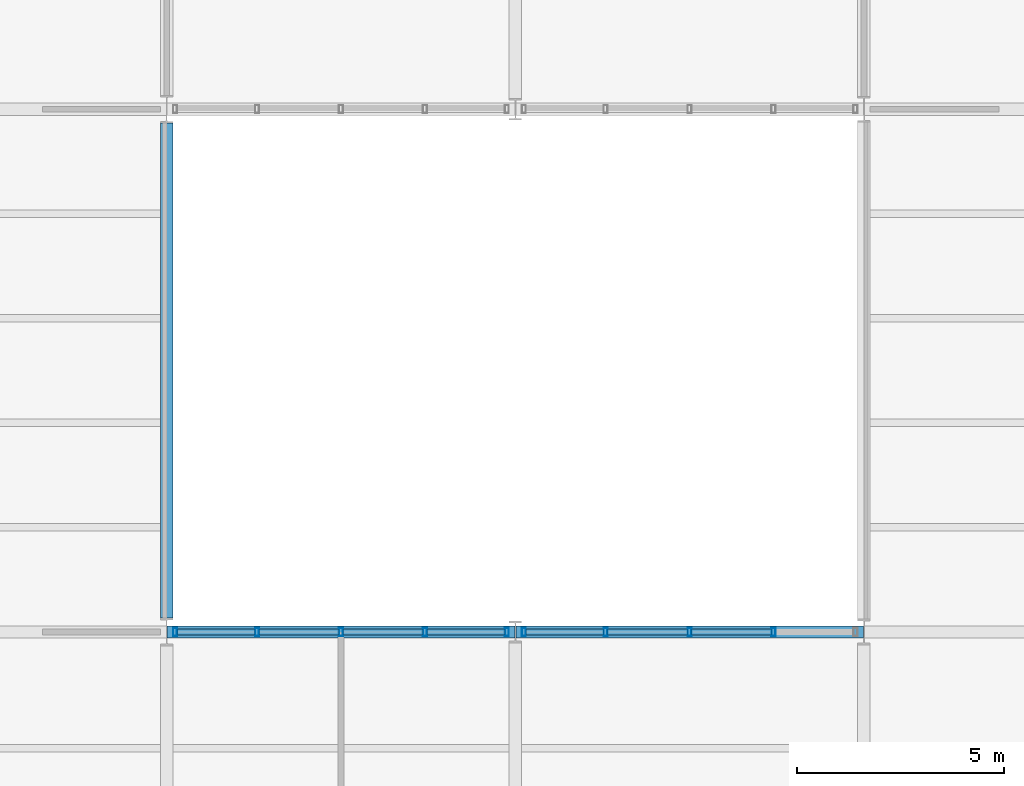
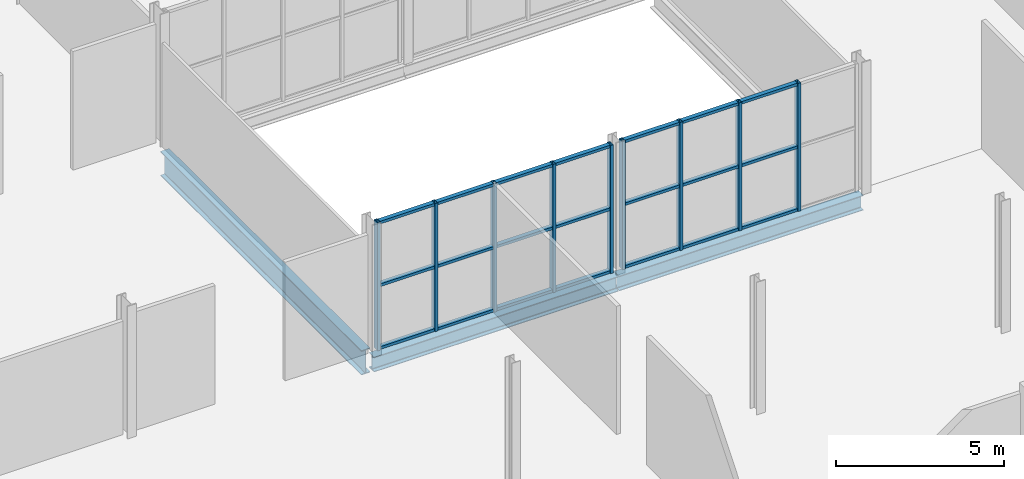
# One storey, part 10 of 57: 30 members, 3 beams, 2 elements without a shape of their own.
"""IFC4 building model written with IfcOpenShell, lengths in metres."""

from ifc_helpers import new_model, si_unit, direction, frame, origin, origin_2d, place, context, subcontext, project, spatial, hollow_rectangle, i_section, extrude, material, layer, layer_set, material_profile, profile_set, type_object, element, aggregate, save


model = new_model("IFC4")

# Units and contexts
model_context = context("Model", 3, precision=1e-05, world=origin(), true_north=direction((0.0, 1.0)))
body_context = subcontext(model_context, "Body", "Model", "MODEL_VIEW")
ifc_project = project(units=[si_unit("LENGTHUNIT", "METRE"), si_unit("AREAUNIT", "SQUARE_METRE"), si_unit("VOLUMEUNIT", "CUBIC_METRE"), si_unit("PLANEANGLEUNIT", "RADIAN"), si_unit("MASSUNIT", "GRAM", prefix="KILO")], contexts=[model_context])

# Site, building, storey
site_placement = place(None, origin())
site = spatial("IfcSite", under=ifc_project, at=site_placement, CompositionType="ELEMENT")
building_placement = place(site_placement, origin())
building = spatial("IfcBuilding", under=site, at=building_placement, Name="Galleria Vessillo Department Store", CompositionType="ELEMENT")
storey_placement = place(building_placement, frame((0.0, 0.0, 21.0)))
storey = spatial("IfcBuildingStorey", under=building, at=storey_placement, Name="L04", CompositionType="ELEMENT", Elevation=21.0)

# Curtain wall, members
ifc_material_1 = material(Name="Steel and fire-resisting glass curtain wall", Category="steel")
ifc_layer = layer(ifc_material_1, 0.199951171875)
ifc_layer_set = layer_set([ifc_layer], Name="Steel and fire-resisting glass curtain wall")
curtain_wall_type = type_object("IfcCurtainWallType", Name="Arcade fire-resisting glazed shopfront EI 120-Sa", PredefinedType="NOTDEFINED", material=ifc_layer_set)
curtain_wall_1_placement = place(storey_placement, origin())
curtain_wall_1 = element("IfcCurtainWall", 1, at=curtain_wall_1_placement, inside=storey, type_object=curtain_wall_type, Name="Arcade fire-resisting glazed shopfront EI 120-Sa AI-AW-S-L04-01", PredefinedType="NOTDEFINED")
ifc_material_2 = material(Name="Steel S355 J2", Category="steel")
ifc_material_profile_1 = material_profile(ifc_material_2, hollow_rectangle(XDim=0.199951171875, YDim=0.10009765625, WallThickness=0.008056640625, at=origin_2d()), Name="RHS 200x100x8")
ifc_profile_set_1 = profile_set([ifc_material_profile_1], Name="Steel S355 J2")
member_type_1 = type_object("IfcMemberType", Name="Steel mullion RHS 200x100x8", PredefinedType="MULLION", material=ifc_profile_set_1)
member_1_placement = place(storey_placement, frame((17.002685546875, 25.199951171875, 0.0), z_axis=(0.0, 0.0, 1.0), x_axis=(0.0, 1.0, 0.0)))
member_1 = element("IfcMember", 2, at=member_1_placement, type_object=member_type_1, Name="CW7 mullion 1", PredefinedType="MULLION", context=body_context, shape_type="SweptSolid", body=[
    extrude(hollow_rectangle(XDim=0.199951171875, YDim=0.10009765625, WallThickness=0.008056640625, at=origin_2d()), origin(), (0.0, 0.0, 1.0), 4.650146484375),
])
member_2_placement = place(storey_placement, frame((18.97607421875, 25.199951171875, 0.0), z_axis=(0.0, 0.0, 1.0), x_axis=(0.0, 1.0, 0.0)))
member_2 = element("IfcMember", 3, at=member_2_placement, type_object=member_type_1, Name="CW7 mullion 2", PredefinedType="MULLION", context=body_context, shape_type="SweptSolid", body=[
    extrude(hollow_rectangle(XDim=0.199951171875, YDim=0.10009765625, WallThickness=0.008056640625, at=origin_2d()), origin(), (0.0, 0.0, 1.0), 4.650146484375),
])
member_3_placement = place(storey_placement, frame((20.999755859375, 25.199951171875, 0.0), z_axis=(0.0, 0.0, 1.0), x_axis=(0.0, 1.0, 0.0)))
member_3 = element("IfcMember", 4, at=member_3_placement, type_object=member_type_1, Name="CW7 mullion 3", PredefinedType="MULLION", context=body_context, shape_type="SweptSolid", body=[
    extrude(hollow_rectangle(XDim=0.199951171875, YDim=0.10009765625, WallThickness=0.008056640625, at=origin_2d()), origin(), (0.0, 0.0, 1.0), 4.650146484375),
])
member_4_placement = place(storey_placement, frame((23.0234375, 25.199951171875, 0.0), z_axis=(0.0, 0.0, 1.0), x_axis=(0.0, 1.0, 0.0)))
member_4 = element("IfcMember", 5, at=member_4_placement, type_object=member_type_1, Name="CW7 mullion 4", PredefinedType="MULLION", context=body_context, shape_type="SweptSolid", body=[
    extrude(hollow_rectangle(XDim=0.199951171875, YDim=0.10009765625, WallThickness=0.008056640625, at=origin_2d()), origin(), (0.0, 0.0, 1.0), 4.650146484375),
])
member_5_placement = place(storey_placement, frame((24.996826171875, 25.199951171875, 0.0), z_axis=(0.0, 0.0, 1.0), x_axis=(0.0, 1.0, 0.0)))
member_5 = element("IfcMember", 6, at=member_5_placement, type_object=member_type_1, Name="CW7 mullion 5", PredefinedType="MULLION", context=body_context, shape_type="SweptSolid", body=[
    extrude(hollow_rectangle(XDim=0.199951171875, YDim=0.10009765625, WallThickness=0.008056640625, at=origin_2d()), origin(), (0.0, 0.0, 1.0), 4.650146484375),
])

curtain_wall_2_placement = place(storey_placement, origin())
curtain_wall_2 = element("IfcCurtainWall", 7, at=curtain_wall_2_placement, inside=storey, type_object=curtain_wall_type, Name="Arcade fire-resisting glazed shopfront EI 120-Sa AI-AW-S-L04-02", PredefinedType="NOTDEFINED")
member_6_placement = place(storey_placement, frame((25.403076171875, 25.199951171875, 0.0), z_axis=(0.0, 0.0, 1.0), x_axis=(0.0, 1.0, 0.0)))
member_6 = element("IfcMember", 8, at=member_6_placement, type_object=member_type_1, Name="CW7 mullion 1", PredefinedType="MULLION", context=body_context, shape_type="SweptSolid", body=[
    extrude(hollow_rectangle(XDim=0.199951171875, YDim=0.10009765625, WallThickness=0.008056640625, at=origin_2d()), origin(), (0.0, 0.0, 1.0), 4.650146484375),
])
member_7_placement = place(storey_placement, frame((27.376708984375, 25.199951171875, 0.0), z_axis=(0.0, 0.0, 1.0), x_axis=(0.0, 1.0, 0.0)))
member_7 = element("IfcMember", 9, at=member_7_placement, type_object=member_type_1, Name="CW7 mullion 2", PredefinedType="MULLION", context=body_context, shape_type="SweptSolid", body=[
    extrude(hollow_rectangle(XDim=0.199951171875, YDim=0.10009765625, WallThickness=0.008056640625, at=origin_2d()), origin(), (0.0, 0.0, 1.0), 4.650146484375),
])
member_8_placement = place(storey_placement, frame((29.400390625, 25.199951171875, 0.0), z_axis=(0.0, 0.0, 1.0), x_axis=(0.0, 1.0, 0.0)))
member_8 = element("IfcMember", 10, at=member_8_placement, type_object=member_type_1, Name="CW7 mullion 3", PredefinedType="MULLION", context=body_context, shape_type="SweptSolid", body=[
    extrude(hollow_rectangle(XDim=0.199951171875, YDim=0.10009765625, WallThickness=0.008056640625, at=origin_2d()), origin(), (0.0, 0.0, 1.0), 4.650146484375),
])
member_9_placement = place(storey_placement, frame((31.423828125, 25.199951171875, 0.0), z_axis=(0.0, 0.0, 1.0), x_axis=(0.0, 1.0, 0.0)))
member_9 = element("IfcMember", 11, at=member_9_placement, type_object=member_type_1, Name="CW7 mullion 4", PredefinedType="MULLION", context=body_context, shape_type="SweptSolid", body=[
    extrude(hollow_rectangle(XDim=0.199951171875, YDim=0.10009765625, WallThickness=0.008056640625, at=origin_2d()), origin(), (0.0, 0.0, 1.0), 4.650146484375),
])

# Member
ifc_material_3 = material(Name="Steel S355 J2", Category="steel")
ifc_material_profile_2 = material_profile(ifc_material_3, hollow_rectangle(XDim=0.14990234375, YDim=0.10009765625, WallThickness=0.008056640625, at=origin_2d()), Name="RHS 150x100x8")
ifc_profile_set_2 = profile_set([ifc_material_profile_2], Name="Steel S355 J2")
member_type_2 = type_object("IfcMemberType", Name="Steel transom RHS 150x100x8", PredefinedType="USERDEFINED", material=ifc_profile_set_2)
member_10_placement = place(storey_placement, frame((17.052734375, 25.199951171875, 0.050048828125), z_axis=(1.0, 0.0, 0.0), x_axis=(0.0, 1.0, 0.0)))
member_10 = element("IfcMember", 12, at=member_10_placement, type_object=member_type_2, Name="CW7 transom 1.1", ObjectType="TRANSOM", PredefinedType="USERDEFINED", context=body_context, shape_type="SweptSolid", body=[
    extrude(hollow_rectangle(XDim=0.14990234375, YDim=0.10009765625, WallThickness=0.008056640625, at=origin_2d()), origin(), (0.0, 0.0, 1.0), 1.87353515625),
])

member_11_placement = place(storey_placement, frame((17.052734375, 25.199951171875, 2.3251953125), z_axis=(1.0, 0.0, 0.0), x_axis=(0.0, 1.0, 0.0)))
member_11 = element("IfcMember", 13, at=member_11_placement, type_object=member_type_2, Name="CW7 transom 1.2", ObjectType="TRANSOM", PredefinedType="USERDEFINED", context=body_context, shape_type="SweptSolid", body=[
    extrude(hollow_rectangle(XDim=0.14990234375, YDim=0.10009765625, WallThickness=0.008056640625, at=origin_2d()), origin(), (0.0, 0.0, 1.0), 1.87353515625),
])

member_12_placement = place(storey_placement, frame((17.052734375, 25.199951171875, 4.60009765625), z_axis=(1.0, 0.0, 0.0), x_axis=(0.0, 1.0, 0.0)))
member_12 = element("IfcMember", 14, at=member_12_placement, type_object=member_type_2, Name="CW7 transom 1.3", ObjectType="TRANSOM", PredefinedType="USERDEFINED", context=body_context, shape_type="SweptSolid", body=[
    extrude(hollow_rectangle(XDim=0.14990234375, YDim=0.10009765625, WallThickness=0.008056640625, at=origin_2d()), origin(), (0.0, 0.0, 1.0), 1.87353515625),
])

member_13_placement = place(storey_placement, frame((19.026123046875, 25.199951171875, 0.050048828125), z_axis=(1.0, 0.0, 0.0), x_axis=(0.0, 1.0, 0.0)))
member_13 = element("IfcMember", 15, at=member_13_placement, type_object=member_type_2, Name="CW7 transom 2.1", ObjectType="TRANSOM", PredefinedType="USERDEFINED", context=body_context, shape_type="SweptSolid", body=[
    extrude(hollow_rectangle(XDim=0.14990234375, YDim=0.10009765625, WallThickness=0.008056640625, at=origin_2d()), origin(), (0.0, 0.0, 1.0), 1.923583984375),
])

member_14_placement = place(storey_placement, frame((19.026123046875, 25.199951171875, 2.3251953125), z_axis=(1.0, 0.0, 0.0), x_axis=(0.0, 1.0, 0.0)))
member_14 = element("IfcMember", 16, at=member_14_placement, type_object=member_type_2, Name="CW7 transom 2.2", ObjectType="TRANSOM", PredefinedType="USERDEFINED", context=body_context, shape_type="SweptSolid", body=[
    extrude(hollow_rectangle(XDim=0.14990234375, YDim=0.10009765625, WallThickness=0.008056640625, at=origin_2d()), origin(), (0.0, 0.0, 1.0), 1.923583984375),
])

member_15_placement = place(storey_placement, frame((19.026123046875, 25.199951171875, 4.60009765625), z_axis=(1.0, 0.0, 0.0), x_axis=(0.0, 1.0, 0.0)))
member_15 = element("IfcMember", 17, at=member_15_placement, type_object=member_type_2, Name="CW7 transom 2.3", ObjectType="TRANSOM", PredefinedType="USERDEFINED", context=body_context, shape_type="SweptSolid", body=[
    extrude(hollow_rectangle(XDim=0.14990234375, YDim=0.10009765625, WallThickness=0.008056640625, at=origin_2d()), origin(), (0.0, 0.0, 1.0), 1.923583984375),
])

member_16_placement = place(storey_placement, frame((21.0498046875, 25.199951171875, 0.050048828125), z_axis=(1.0, 0.0, 0.0), x_axis=(0.0, 1.0, 0.0)))
member_16 = element("IfcMember", 18, at=member_16_placement, type_object=member_type_2, Name="CW7 transom 3.1", ObjectType="TRANSOM", PredefinedType="USERDEFINED", context=body_context, shape_type="SweptSolid", body=[
    extrude(hollow_rectangle(XDim=0.14990234375, YDim=0.10009765625, WallThickness=0.008056640625, at=origin_2d()), origin(), (0.0, 0.0, 1.0), 1.923583984375),
])

member_17_placement = place(storey_placement, frame((21.0498046875, 25.199951171875, 2.3251953125), z_axis=(1.0, 0.0, 0.0), x_axis=(0.0, 1.0, 0.0)))
member_17 = element("IfcMember", 19, at=member_17_placement, type_object=member_type_2, Name="CW7 transom 3.2", ObjectType="TRANSOM", PredefinedType="USERDEFINED", context=body_context, shape_type="SweptSolid", body=[
    extrude(hollow_rectangle(XDim=0.14990234375, YDim=0.10009765625, WallThickness=0.008056640625, at=origin_2d()), origin(), (0.0, 0.0, 1.0), 1.923583984375),
])

member_18_placement = place(storey_placement, frame((21.0498046875, 25.199951171875, 4.60009765625), z_axis=(1.0, 0.0, 0.0), x_axis=(0.0, 1.0, 0.0)))
member_18 = element("IfcMember", 20, at=member_18_placement, type_object=member_type_2, Name="CW7 transom 3.3", ObjectType="TRANSOM", PredefinedType="USERDEFINED", context=body_context, shape_type="SweptSolid", body=[
    extrude(hollow_rectangle(XDim=0.14990234375, YDim=0.10009765625, WallThickness=0.008056640625, at=origin_2d()), origin(), (0.0, 0.0, 1.0), 1.923583984375),
])

member_19_placement = place(storey_placement, frame((23.0732421875, 25.199951171875, 0.050048828125), z_axis=(1.0, 0.0, 0.0), x_axis=(0.0, 1.0, 0.0)))
member_19 = element("IfcMember", 21, at=member_19_placement, type_object=member_type_2, Name="CW7 transom 4.1", ObjectType="TRANSOM", PredefinedType="USERDEFINED", context=body_context, shape_type="SweptSolid", body=[
    extrude(hollow_rectangle(XDim=0.14990234375, YDim=0.10009765625, WallThickness=0.008056640625, at=origin_2d()), origin(), (0.0, 0.0, 1.0), 1.87353515625),
])

member_20_placement = place(storey_placement, frame((23.0732421875, 25.199951171875, 2.3251953125), z_axis=(1.0, 0.0, 0.0), x_axis=(0.0, 1.0, 0.0)))
member_20 = element("IfcMember", 22, at=member_20_placement, type_object=member_type_2, Name="CW7 transom 4.2", ObjectType="TRANSOM", PredefinedType="USERDEFINED", context=body_context, shape_type="SweptSolid", body=[
    extrude(hollow_rectangle(XDim=0.14990234375, YDim=0.10009765625, WallThickness=0.008056640625, at=origin_2d()), origin(), (0.0, 0.0, 1.0), 1.87353515625),
])

member_21_placement = place(storey_placement, frame((23.0732421875, 25.199951171875, 4.60009765625), z_axis=(1.0, 0.0, 0.0), x_axis=(0.0, 1.0, 0.0)))
member_21 = element("IfcMember", 23, at=member_21_placement, type_object=member_type_2, Name="CW7 transom 4.3", ObjectType="TRANSOM", PredefinedType="USERDEFINED", context=body_context, shape_type="SweptSolid", body=[
    extrude(hollow_rectangle(XDim=0.14990234375, YDim=0.10009765625, WallThickness=0.008056640625, at=origin_2d()), origin(), (0.0, 0.0, 1.0), 1.87353515625),
])

aggregate(curtain_wall_1, [member_1, member_2, member_3, member_4, member_5, member_10, member_11, member_12, member_13, member_14, member_15, member_16, member_17, member_18, member_19, member_20, member_21])

member_22_placement = place(storey_placement, frame((25.453125, 25.199951171875, 0.050048828125), z_axis=(1.0, 0.0, 0.0), x_axis=(0.0, 1.0, 0.0)))
member_22 = element("IfcMember", 24, at=member_22_placement, type_object=member_type_2, Name="CW7 transom 1.1", ObjectType="TRANSOM", PredefinedType="USERDEFINED", context=body_context, shape_type="SweptSolid", body=[
    extrude(hollow_rectangle(XDim=0.14990234375, YDim=0.10009765625, WallThickness=0.008056640625, at=origin_2d()), origin(), (0.0, 0.0, 1.0), 1.87353515625),
])

member_23_placement = place(storey_placement, frame((25.453125, 25.199951171875, 2.3251953125), z_axis=(1.0, 0.0, 0.0), x_axis=(0.0, 1.0, 0.0)))
member_23 = element("IfcMember", 25, at=member_23_placement, type_object=member_type_2, Name="CW7 transom 1.2", ObjectType="TRANSOM", PredefinedType="USERDEFINED", context=body_context, shape_type="SweptSolid", body=[
    extrude(hollow_rectangle(XDim=0.14990234375, YDim=0.10009765625, WallThickness=0.008056640625, at=origin_2d()), origin(), (0.0, 0.0, 1.0), 1.87353515625),
])

member_24_placement = place(storey_placement, frame((25.453125, 25.199951171875, 4.60009765625), z_axis=(1.0, 0.0, 0.0), x_axis=(0.0, 1.0, 0.0)))
member_24 = element("IfcMember", 26, at=member_24_placement, type_object=member_type_2, Name="CW7 transom 1.3", ObjectType="TRANSOM", PredefinedType="USERDEFINED", context=body_context, shape_type="SweptSolid", body=[
    extrude(hollow_rectangle(XDim=0.14990234375, YDim=0.10009765625, WallThickness=0.008056640625, at=origin_2d()), origin(), (0.0, 0.0, 1.0), 1.87353515625),
])

member_25_placement = place(storey_placement, frame((27.4267578125, 25.199951171875, 0.050048828125), z_axis=(1.0, 0.0, 0.0), x_axis=(0.0, 1.0, 0.0)))
member_25 = element("IfcMember", 27, at=member_25_placement, type_object=member_type_2, Name="CW7 transom 2.1", ObjectType="TRANSOM", PredefinedType="USERDEFINED", context=body_context, shape_type="SweptSolid", body=[
    extrude(hollow_rectangle(XDim=0.14990234375, YDim=0.10009765625, WallThickness=0.008056640625, at=origin_2d()), origin(), (0.0, 0.0, 1.0), 1.923583984375),
])

member_26_placement = place(storey_placement, frame((27.4267578125, 25.199951171875, 2.3251953125), z_axis=(1.0, 0.0, 0.0), x_axis=(0.0, 1.0, 0.0)))
member_26 = element("IfcMember", 28, at=member_26_placement, type_object=member_type_2, Name="CW7 transom 2.2", ObjectType="TRANSOM", PredefinedType="USERDEFINED", context=body_context, shape_type="SweptSolid", body=[
    extrude(hollow_rectangle(XDim=0.14990234375, YDim=0.10009765625, WallThickness=0.008056640625, at=origin_2d()), origin(), (0.0, 0.0, 1.0), 1.923583984375),
])

member_27_placement = place(storey_placement, frame((27.4267578125, 25.199951171875, 4.60009765625), z_axis=(1.0, 0.0, 0.0), x_axis=(0.0, 1.0, 0.0)))
member_27 = element("IfcMember", 29, at=member_27_placement, type_object=member_type_2, Name="CW7 transom 2.3", ObjectType="TRANSOM", PredefinedType="USERDEFINED", context=body_context, shape_type="SweptSolid", body=[
    extrude(hollow_rectangle(XDim=0.14990234375, YDim=0.10009765625, WallThickness=0.008056640625, at=origin_2d()), origin(), (0.0, 0.0, 1.0), 1.923583984375),
])

member_28_placement = place(storey_placement, frame((29.4501953125, 25.199951171875, 0.050048828125), z_axis=(1.0, 0.0, 0.0), x_axis=(0.0, 1.0, 0.0)))
member_28 = element("IfcMember", 30, at=member_28_placement, type_object=member_type_2, Name="CW7 transom 3.1", ObjectType="TRANSOM", PredefinedType="USERDEFINED", context=body_context, shape_type="SweptSolid", body=[
    extrude(hollow_rectangle(XDim=0.14990234375, YDim=0.10009765625, WallThickness=0.008056640625, at=origin_2d()), origin(), (0.0, 0.0, 1.0), 1.923583984375),
])

member_29_placement = place(storey_placement, frame((29.4501953125, 25.199951171875, 2.3251953125), z_axis=(1.0, 0.0, 0.0), x_axis=(0.0, 1.0, 0.0)))
member_29 = element("IfcMember", 31, at=member_29_placement, type_object=member_type_2, Name="CW7 transom 3.2", ObjectType="TRANSOM", PredefinedType="USERDEFINED", context=body_context, shape_type="SweptSolid", body=[
    extrude(hollow_rectangle(XDim=0.14990234375, YDim=0.10009765625, WallThickness=0.008056640625, at=origin_2d()), origin(), (0.0, 0.0, 1.0), 1.923583984375),
])

member_30_placement = place(storey_placement, frame((29.4501953125, 25.199951171875, 4.60009765625), z_axis=(1.0, 0.0, 0.0), x_axis=(0.0, 1.0, 0.0)))
member_30 = element("IfcMember", 32, at=member_30_placement, type_object=member_type_2, Name="CW7 transom 3.3", ObjectType="TRANSOM", PredefinedType="USERDEFINED", context=body_context, shape_type="SweptSolid", body=[
    extrude(hollow_rectangle(XDim=0.14990234375, YDim=0.10009765625, WallThickness=0.008056640625, at=origin_2d()), origin(), (0.0, 0.0, 1.0), 1.923583984375),
])

aggregate(curtain_wall_2, [member_6, member_7, member_8, member_9, member_22, member_23, member_24, member_25, member_26, member_27, member_28, member_29, member_30])

# Beams
ifc_material_4 = material(Name="Steel S355 J2", Category="steel")
ifc_material_profile_3 = material_profile(ifc_material_4, i_section(OverallWidth=0.300048828125, OverallDepth=0.5400390625, WebThickness=0.012451171875, FlangeThickness=0.02392578125, FilletRadius=0.027099609375, at=origin_2d()), Name="HEA 550")
ifc_profile_set_3 = profile_set([ifc_material_profile_3], Name="Steel S355 J2")
beam_type_1 = type_object("IfcBeamType", Name="Trimmer beam HEA 550", PredefinedType="BEAM", material=ifc_profile_set_3)
beam_1_placement = place(storey_placement, frame((16.810546875, 25.199951171875, -0.419921875), z_axis=(1.0, 0.0, 0.0), x_axis=(0.0, 1.0, 0.0)))
element("IfcBeam", 33, at=beam_1_placement, inside=storey, type_object=beam_type_1, Name="S-BM-L04-TR-x25200-16811", PredefinedType="BEAM", context=body_context, shape_type="SweptSolid", body=[
    extrude(i_section(OverallWidth=0.300048828125, OverallDepth=0.5400390625, WebThickness=0.012451171875, FlangeThickness=0.02392578125, FilletRadius=0.027099609375, at=origin_2d()), origin(), (0.0, 0.0, 1.0), 8.37890625),
])
beam_2_placement = place(storey_placement, frame((25.210693359375, 25.199951171875, -0.419921875), z_axis=(1.0, 0.0, 0.0), x_axis=(0.0, 1.0, 0.0)))
element("IfcBeam", 34, at=beam_2_placement, inside=storey, type_object=beam_type_1, Name="S-BM-L04-TR-x25200-25211", PredefinedType="BEAM", context=body_context, shape_type="SweptSolid", body=[
    extrude(i_section(OverallWidth=0.300048828125, OverallDepth=0.5400390625, WebThickness=0.012451171875, FlangeThickness=0.02392578125, FilletRadius=0.027099609375, at=origin_2d()), origin(), (0.0, 0.0, 1.0), 8.378662109375),
])
ifc_material_5 = material(Name="Steel S355 J2", Category="steel")
ifc_material_profile_4 = material_profile(ifc_material_5, i_section(OverallWidth=0.300048828125, OverallDepth=0.889892578125, WebThickness=0.01611328125, FlangeThickness=0.030029296875, FilletRadius=0.030029296875, at=origin_2d()), Name="HEA 900")
ifc_profile_set_4 = profile_set([ifc_material_profile_4], Name="Steel S355 J2")
beam_type_2 = type_object("IfcBeamType", Name="Trimmer beam HEA 900", PredefinedType="BEAM", material=ifc_profile_set_4)
beam_3_placement = place(storey_placement, frame((16.800048828125, 25.5341796875, -0.594970703125), z_axis=(0.0, 1.0, 0.0), x_axis=(-1.0, 0.0, 0.0)))
element("IfcBeam", 35, at=beam_3_placement, inside=storey, type_object=beam_type_2, Name="S-BM-L04-TR-y16800-25534", PredefinedType="BEAM", context=body_context, shape_type="SweptSolid", body=[
    extrude(i_section(OverallWidth=0.300048828125, OverallDepth=0.889892578125, WebThickness=0.01611328125, FlangeThickness=0.030029296875, FilletRadius=0.030029296875, at=origin_2d()), origin(), (0.0, 0.0, 1.0), 11.931640625),
])

save(model, "model.ifc")
